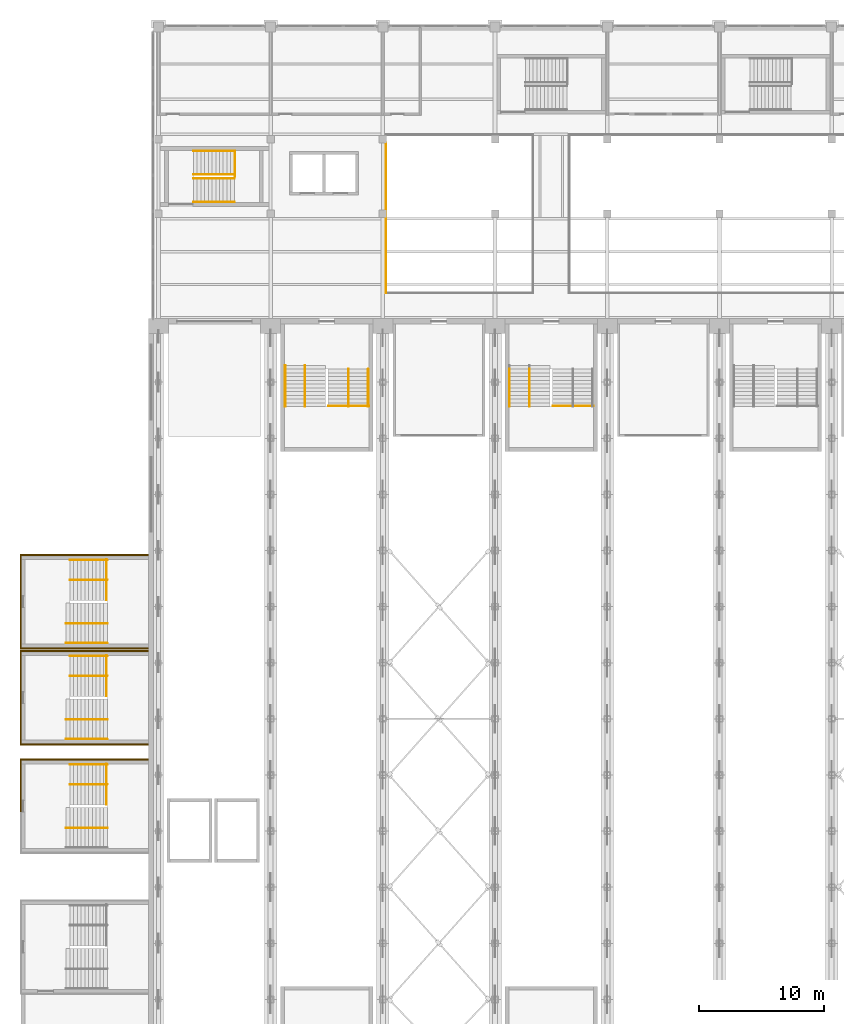
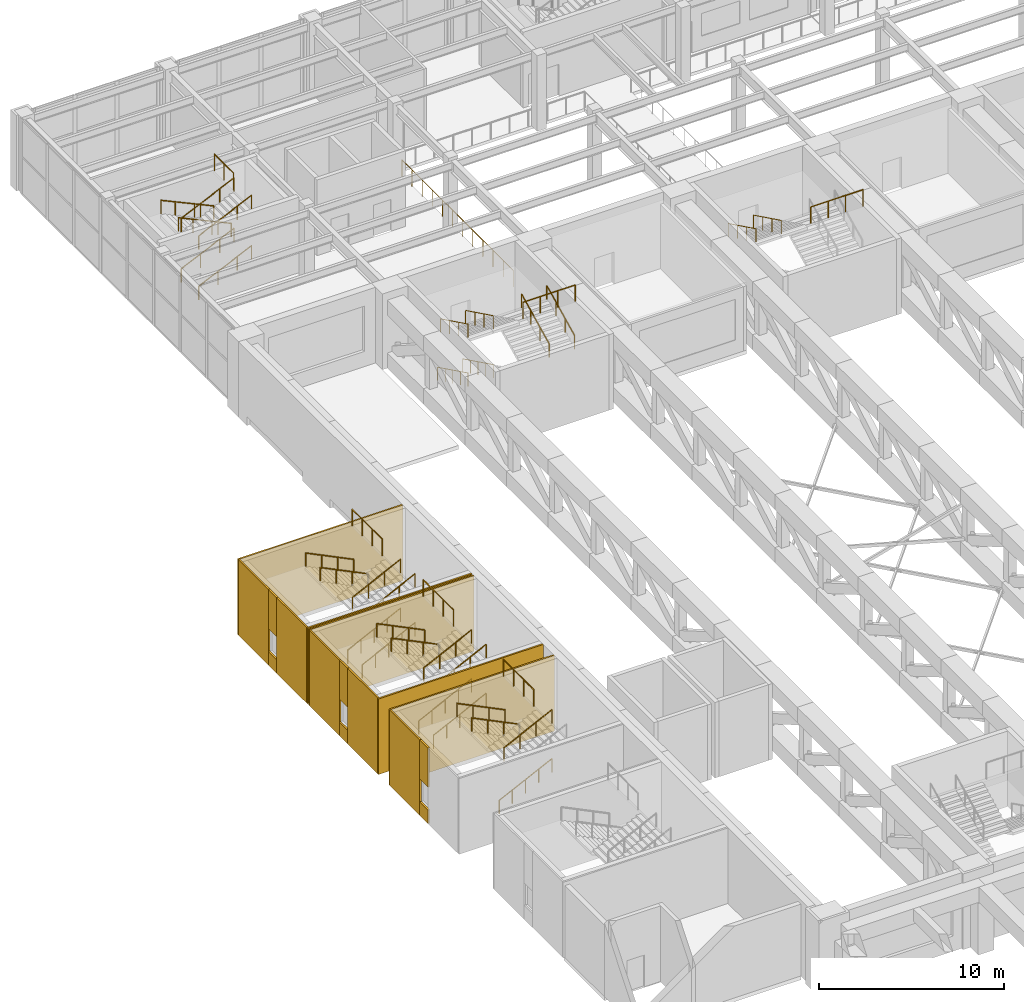
# One storey, part 68 of 76: 37 railings, 16 coverings.
"""IFC4 building model written with IfcOpenShell, lengths in metres."""

from ifc_helpers import new_model, si_unit, direction, frame, origin, origin_2d, place, context, subcontext, project, spatial, polyline, circle, outline, extrude, material, layer, layer_set, type_object, element, save


model = new_model("IFC4")

# Units and contexts
model_context = context("Model", 3, precision=1e-05, world=origin(), true_north=direction((0.0, 1.0)))
body_context = subcontext(model_context, "Body", "Model", "MODEL_VIEW")
ifc_project = project(units=[si_unit("LENGTHUNIT", "METRE"), si_unit("AREAUNIT", "SQUARE_METRE"), si_unit("VOLUMEUNIT", "CUBIC_METRE"), si_unit("PLANEANGLEUNIT", "RADIAN"), si_unit("MASSUNIT", "GRAM", prefix="KILO")], contexts=[model_context])

# Site, building, storey
site_placement = place(None, origin())
site = spatial("IfcSite", under=ifc_project, at=site_placement, CompositionType="ELEMENT")
building_placement = place(site_placement, origin())
building = spatial("IfcBuilding", under=site, at=building_placement, Name="Aravalli Gate Trade Fair Centre", CompositionType="ELEMENT")
storey_placement = place(building_placement, frame((0.0, 0.0, 10.0)))
storey = spatial("IfcBuildingStorey", under=building, at=storey_placement, Name="L02", CompositionType="ELEMENT", Elevation=10.0)

# Railings
ifc_material_1 = material(Name="Steel E350", Category="steel")
railing_type_1 = type_object("IfcRailingType", Name="Concourse guard 1100", PredefinedType="GUARDRAIL", material=ifc_material_1)
railing_1_placement = place(storey_placement, frame((12.14990234375, 121.0, 5.0)))
element("IfcRailing", 1, at=railing_1_placement, inside=storey, type_object=railing_type_1, Name="Guard WS L02 landing edge", PredefinedType="GUARDRAIL", context=body_context, shape_type="SweptSolid", body=[
    extrude(circle(Radius=0.02392578125, at=origin_2d()), frame((0.0, 0.0, 1.076171875), z_axis=(0.0, 1.0, 0.0), x_axis=(-1.0, 0.0, 0.0)), (0.0, 0.0, 1.0), 2.050048828125),
    extrude(circle(Radius=0.02099609375, at=origin_2d()), origin(), (0.0, 0.0, 1.0), 1.052001953125),
    extrude(circle(Radius=0.02099609375, at=origin_2d()), frame((0.0, 1.02490234375, 0.0)), (0.0, 0.0, 1.0), 1.052001953125),
    extrude(circle(Radius=0.02099609375, at=origin_2d()), frame((0.0, 2.050048828125, 0.0)), (0.0, 0.0, 1.0), 1.052001953125),
])
railing_2_placement = place(storey_placement, frame((24.25, 111.64990234375, 0.0)))
element("IfcRailing", 2, at=railing_2_placement, inside=storey, type_object=railing_type_1, Name="Atrium guard W L02", PredefinedType="GUARDRAIL", context=body_context, shape_type="SweptSolid", body=[
    extrude(circle(Radius=0.02392578125, at=origin_2d()), frame((0.0, 0.0, 1.076171875), z_axis=(0.0, 1.0, 0.0), x_axis=(-1.0, 0.0, 0.0)), (0.0, 0.0, 1.0), 12.050048828125),
    extrude(circle(Radius=0.02099609375, at=origin_2d()), origin(), (0.0, 0.0, 1.0), 1.052001953125),
    extrude(circle(Radius=0.02099609375, at=origin_2d()), frame((0.0, 1.095458984375, 0.0)), (0.0, 0.0, 1.0), 1.052001953125),
    extrude(circle(Radius=0.02099609375, at=origin_2d()), frame((0.0, 2.19091796875, 0.0)), (0.0, 0.0, 1.0), 1.052001953125),
    extrude(circle(Radius=0.02099609375, at=origin_2d()), frame((0.0, 3.286376953125, 0.0)), (0.0, 0.0, 1.0), 1.052001953125),
    extrude(circle(Radius=0.02099609375, at=origin_2d()), frame((0.0, 4.3818359375, 0.0)), (0.0, 0.0, 1.0), 1.052001953125),
    extrude(circle(Radius=0.02099609375, at=origin_2d()), frame((0.0, 5.477294921875, 0.0)), (0.0, 0.0, 1.0), 1.052001953125),
    extrude(circle(Radius=0.02099609375, at=origin_2d()), frame((0.0, 6.57275390625, 0.0)), (0.0, 0.0, 1.0), 1.052001953125),
    extrude(circle(Radius=0.02099609375, at=origin_2d()), frame((0.0, 7.668212890625, 0.0)), (0.0, 0.0, 1.0), 1.052001953125),
    extrude(circle(Radius=0.02099609375, at=origin_2d()), frame((0.0, 8.763671875, 0.0)), (0.0, 0.0, 1.0), 1.052001953125),
    extrude(circle(Radius=0.02099609375, at=origin_2d()), frame((0.0, 9.859130859375, 0.0)), (0.0, 0.0, 1.0), 1.052001953125),
    extrude(circle(Radius=0.02099609375, at=origin_2d()), frame((0.0, 10.95458984375, 0.0)), (0.0, 0.0, 1.0), 1.052001953125),
    extrude(circle(Radius=0.02099609375, at=origin_2d()), frame((0.0, 12.050048828125, 0.0)), (0.0, 0.0, 1.0), 1.052001953125),
])
railing_type_2 = type_object("IfcRailingType", Name="Concourse stair handrail 900", PredefinedType="HANDRAIL", material=ifc_material_1)
for number, where, name in (
    (3, (8.800048828125, 118.949951171875, 0.138916015625), "Handrail WS L02 flight 1o"),
    (4, (8.800048828125, 120.85009765625, 0.138916015625), "Handrail WS L02 flight 1i"),
):
    element("IfcRailing", number, at=place(storey_placement, frame(where)), inside=storey, type_object=railing_type_2, Name=name, PredefinedType="HANDRAIL", context=body_context, shape_type="SweptSolid", body=[
        extrude(circle(Radius=0.02392578125, at=origin_2d()), frame((0.0, 0.0, 0.8759765625), z_axis=(0.907499493834, 0.0, 0.420053173647), x_axis=(0.0, 1.0, 0.0)), (0.0, 0.0, 1.0), 1.322265625),
        extrude(circle(Radius=0.02392578125, at=origin_2d()), frame((1.199951171875, 0.0, 1.43115234375), z_axis=(0.907429102623, 0.0, 0.420205216189), x_axis=(0.0, 1.0, 0.0)), (0.0, 0.0, 1.0), 1.322265625),
        extrude(circle(Radius=0.02392578125, at=origin_2d()), frame((2.39990234375, 0.0, 1.98681640625), z_axis=(0.907461694017, 0.0, 0.420134828231), x_axis=(0.0, 1.0, 0.0)), (0.0, 0.0, 1.0), 0.991943359375),
        extrude(circle(Radius=0.02099609375, at=origin_2d()), origin(), (0.0, 0.0, 1.0), 0.851806640625),
        extrude(circle(Radius=0.02099609375, at=origin_2d()), frame((1.199951171875, 0.0, 0.555419921875)), (0.0, 0.0, 1.0), 0.851806640625),
        extrude(circle(Radius=0.02099609375, at=origin_2d()), frame((2.39990234375, 0.0, 1.111083984375)), (0.0, 0.0, 1.0), 0.851806640625),
        extrude(circle(Radius=0.02099609375, at=origin_2d()), frame((3.300048828125, 0.0, 1.52783203125)), (0.0, 0.0, 1.0), 0.851806640625),
    ])
for number, where, name in (
    (5, (12.10009765625, 123.050048828125, 1.8056640625), "Handrail WS L02 flight 2o"),
    (6, (12.10009765625, 121.14990234375, 1.8056640625), "Handrail WS L02 flight 2i"),
):
    element("IfcRailing", number, at=place(storey_placement, frame(where)), inside=storey, type_object=railing_type_2, Name=name, PredefinedType="HANDRAIL", context=body_context, shape_type="SweptSolid", body=[
        extrude(circle(Radius=0.02392578125, at=origin_2d()), frame((0.0, 0.0, 0.8759765625), z_axis=(-0.907532064172, 0.0, 0.419982800242), x_axis=(0.0, -1.0, 0.0)), (0.0, 0.0, 1.0), 1.322509765625),
        extrude(circle(Radius=0.02392578125, at=origin_2d()), frame((-1.2001953125, 0.0, 1.43115234375), z_axis=(-0.907429102623, 0.0, 0.420205216189), x_axis=(0.0, -1.0, 0.0)), (0.0, 0.0, 1.0), 1.322265625),
        extrude(circle(Radius=0.02392578125, at=origin_2d()), frame((-2.400146484375, 0.0, 1.98681640625), z_axis=(-0.907512096258, 0.0, 0.420025945799), x_axis=(0.0, -1.0, 0.0)), (0.0, 0.0, 1.0), 0.99169921875),
        extrude(circle(Radius=0.02099609375, at=origin_2d()), origin(), (0.0, 0.0, 1.0), 0.851806640625),
        extrude(circle(Radius=0.02099609375, at=origin_2d()), frame((-1.2001953125, 0.0, 0.555419921875)), (0.0, 0.0, 1.0), 0.851806640625),
        extrude(circle(Radius=0.02099609375, at=origin_2d()), frame((-2.400146484375, 0.0, 1.111083984375)), (0.0, 0.0, 1.0), 0.851806640625),
        extrude(circle(Radius=0.02099609375, at=origin_2d()), frame((-3.300048828125, 0.0, 1.527587890625)), (0.0, 0.0, 1.0), 0.851806640625),
    ])
for number, where, name in (
    (7, (8.800048828125, 118.949951171875, 3.47216796875), "Handrail WS L02 flight 3o"),
    (8, (8.800048828125, 120.85009765625, 3.47216796875), "Handrail WS L02 flight 3i"),
):
    element("IfcRailing", number, at=place(storey_placement, frame(where)), inside=storey, type_object=railing_type_2, Name=name, PredefinedType="HANDRAIL", context=body_context, shape_type="SweptSolid", body=[
        extrude(circle(Radius=0.02392578125, at=origin_2d()), frame((0.0, 0.0, 0.8759765625), z_axis=(0.907429102623, 0.0, 0.420205216189), x_axis=(0.0, 1.0, 0.0)), (0.0, 0.0, 1.0), 1.322265625),
        extrude(circle(Radius=0.02392578125, at=origin_2d()), frame((1.199951171875, 0.0, 1.431640625), z_axis=(0.907499493834, 0.0, 0.420053173647), x_axis=(0.0, 1.0, 0.0)), (0.0, 0.0, 1.0), 1.322265625),
        extrude(circle(Radius=0.02392578125, at=origin_2d()), frame((2.39990234375, 0.0, 1.98681640625), z_axis=(0.907461694017, 0.0, 0.420134828231), x_axis=(0.0, 1.0, 0.0)), (0.0, 0.0, 1.0), 0.991943359375),
        extrude(circle(Radius=0.02099609375, at=origin_2d()), origin(), (0.0, 0.0, 1.0), 0.851806640625),
        extrude(circle(Radius=0.02099609375, at=origin_2d()), frame((1.199951171875, 0.0, 0.5556640625)), (0.0, 0.0, 1.0), 0.851806640625),
        extrude(circle(Radius=0.02099609375, at=origin_2d()), frame((2.39990234375, 0.0, 1.111083984375)), (0.0, 0.0, 1.0), 0.851806640625),
        extrude(circle(Radius=0.02099609375, at=origin_2d()), frame((3.300048828125, 0.0, 1.52783203125)), (0.0, 0.0, 1.0), 0.851806640625),
    ])

# Coverings
ifc_material_2 = material(Name="Terracotta", Category="masonry")
ifc_layer = layer(ifc_material_2, 0.10009765625)
ifc_layer_set = layer_set([ifc_layer], Name="Terracotta")
covering_type = type_object("IfcCoveringType", Name="End tower cladding 100", PredefinedType="CLADDING", material=ifc_layer_set)
covering_1_placement = place(storey_placement, origin())
element("IfcCovering", 9, at=covering_1_placement, inside=storey, type_object=covering_type, Name="End tower W2 cladding L02 side A", PredefinedType="CLADDING", context=body_context, shape_type="SweptSolid", body=[
    extrude(outline(polyline([(5.199951171875, 75.39990234375), (-5.10009765625, 75.39990234375), (-5.10009765625, 75.5), (5.199951171875, 75.5), (5.199951171875, 75.39990234375)])), origin(), (0.0, 0.0, 1.0), 5.0),
])
covering_2_placement = place(storey_placement, origin())
element("IfcCovering", 10, at=covering_2_placement, inside=storey, type_object=covering_type, Name="End tower W2 cladding L02 side B", PredefinedType="CLADDING", context=body_context, shape_type="SweptSolid", body=[
    extrude(outline(polyline([(5.199951171875, 82.89990234375), (-5.10009765625, 82.89990234375), (-5.10009765625, 83.0), (5.199951171875, 83.0), (5.199951171875, 82.89990234375)])), origin(), (0.0, 0.0, 1.0), 5.0),
])
covering_3_placement = place(storey_placement, origin())
element("IfcCovering", 11, at=covering_3_placement, inside=storey, type_object=covering_type, Name="End tower W2 cladding L02 far left", PredefinedType="CLADDING", context=body_context, shape_type="SweptSolid", body=[
    extrude(outline(polyline([(-5.0, 75.5), (-5.10009765625, 75.5), (-5.10009765625, 78.75), (-5.0, 78.75), (-5.0, 75.5)])), origin(), (0.0, 0.0, 1.0), 5.0),
])
covering_4_placement = place(storey_placement, origin())
element("IfcCovering", 12, at=covering_4_placement, inside=storey, type_object=covering_type, Name="End tower W2 cladding L02 far right", PredefinedType="CLADDING", context=body_context, shape_type="SweptSolid", body=[
    extrude(outline(polyline([(-5.0, 79.64990234375), (-5.10009765625, 79.64990234375), (-5.10009765625, 82.89990234375), (-5.0, 82.89990234375), (-5.0, 79.64990234375)])), origin(), (0.0, 0.0, 1.0), 5.0),
])
covering_5_placement = place(storey_placement, origin())
element("IfcCovering", 13, at=covering_5_placement, inside=storey, type_object=covering_type, Name="End tower W2 cladding L02 below the window", PredefinedType="CLADDING", context=body_context, shape_type="SweptSolid", body=[
    extrude(outline(polyline([(-5.0, 78.75), (-5.10009765625, 78.75), (-5.10009765625, 79.64990234375), (-5.0, 79.64990234375), (-5.0, 78.75)])), origin(), (0.0, 0.0, 1.0), 0.89990234375),
])
covering_6_placement = place(storey_placement, frame((0.0, 0.0, 2.39990234375)))
element("IfcCovering", 14, at=covering_6_placement, inside=storey, type_object=covering_type, Name="End tower W2 cladding L02 above the window", PredefinedType="CLADDING", context=body_context, shape_type="SweptSolid", body=[
    extrude(outline(polyline([(-5.0, 78.75), (-5.10009765625, 78.75), (-5.10009765625, 79.64990234375), (-5.0, 79.64990234375), (-5.0, 78.75)])), origin(), (0.0, 0.0, 1.0), 2.60009765625),
])
covering_7_placement = place(storey_placement, origin())
element("IfcCovering", 15, at=covering_7_placement, inside=storey, type_object=covering_type, Name="End tower W4 cladding L02 side B", PredefinedType="CLADDING", context=body_context, shape_type="SweptSolid", body=[
    extrude(outline(polyline([(5.199951171875, 74.199951171875), (-5.10009765625, 74.199951171875), (-5.10009765625, 74.300048828125), (5.199951171875, 74.300048828125), (5.199951171875, 74.199951171875)])), origin(), (0.0, 0.0, 1.0), 5.0),
])
covering_8_placement = place(storey_placement, origin())
element("IfcCovering", 16, at=covering_8_placement, inside=storey, type_object=covering_type, Name="End tower W4 cladding L02 far right", PredefinedType="CLADDING", context=body_context, shape_type="SweptSolid", body=[
    extrude(outline(polyline([(-5.0, 70.949951171875), (-5.10009765625, 70.949951171875), (-5.10009765625, 74.199951171875), (-5.0, 74.199951171875), (-5.0, 70.949951171875)])), origin(), (0.0, 0.0, 1.0), 5.0),
])
covering_9_placement = place(storey_placement, origin())
element("IfcCovering", 17, at=covering_9_placement, inside=storey, type_object=covering_type, Name="End tower W4 cladding L02 below the window", PredefinedType="CLADDING", context=body_context, shape_type="SweptSolid", body=[
    extrude(outline(polyline([(-5.0, 70.050048828125), (-5.10009765625, 70.050048828125), (-5.10009765625, 70.949951171875), (-5.0, 70.949951171875), (-5.0, 70.050048828125)])), origin(), (0.0, 0.0, 1.0), 0.89990234375),
])
covering_10_placement = place(storey_placement, frame((0.0, 0.0, 2.39990234375)))
element("IfcCovering", 18, at=covering_10_placement, inside=storey, type_object=covering_type, Name="End tower W4 cladding L02 above the window", PredefinedType="CLADDING", context=body_context, shape_type="SweptSolid", body=[
    extrude(outline(polyline([(-5.0, 70.050048828125), (-5.10009765625, 70.050048828125), (-5.10009765625, 70.949951171875), (-5.0, 70.949951171875), (-5.0, 70.050048828125)])), origin(), (0.0, 0.0, 1.0), 2.60009765625),
])
covering_11_placement = place(storey_placement, origin())
element("IfcCovering", 19, at=covering_11_placement, inside=storey, type_object=covering_type, Name="End tower W5 cladding L02 side A", PredefinedType="CLADDING", context=body_context, shape_type="SweptSolid", body=[
    extrude(outline(polyline([(5.199951171875, 83.10009765625), (-5.10009765625, 83.10009765625), (-5.10009765625, 83.199951171875), (5.199951171875, 83.199951171875), (5.199951171875, 83.10009765625)])), origin(), (0.0, 0.0, 1.0), 5.0),
])
covering_12_placement = place(storey_placement, origin())
element("IfcCovering", 20, at=covering_12_placement, inside=storey, type_object=covering_type, Name="End tower W5 cladding L02 side B", PredefinedType="CLADDING", context=body_context, shape_type="SweptSolid", body=[
    extrude(outline(polyline([(5.199951171875, 90.60009765625), (-5.10009765625, 90.60009765625), (-5.10009765625, 90.699951171875), (5.199951171875, 90.699951171875), (5.199951171875, 90.60009765625)])), origin(), (0.0, 0.0, 1.0), 5.0),
])
covering_13_placement = place(storey_placement, origin())
element("IfcCovering", 21, at=covering_13_placement, inside=storey, type_object=covering_type, Name="End tower W5 cladding L02 far left", PredefinedType="CLADDING", context=body_context, shape_type="SweptSolid", body=[
    extrude(outline(polyline([(-5.0, 83.199951171875), (-5.10009765625, 83.199951171875), (-5.10009765625, 86.449951171875), (-5.0, 86.449951171875), (-5.0, 83.199951171875)])), origin(), (0.0, 0.0, 1.0), 5.0),
])
covering_14_placement = place(storey_placement, origin())
element("IfcCovering", 22, at=covering_14_placement, inside=storey, type_object=covering_type, Name="End tower W5 cladding L02 far right", PredefinedType="CLADDING", context=body_context, shape_type="SweptSolid", body=[
    extrude(outline(polyline([(-5.0, 87.35009765625), (-5.10009765625, 87.35009765625), (-5.10009765625, 90.60009765625), (-5.0, 90.60009765625), (-5.0, 87.35009765625)])), origin(), (0.0, 0.0, 1.0), 5.0),
])
covering_15_placement = place(storey_placement, origin())
element("IfcCovering", 23, at=covering_15_placement, inside=storey, type_object=covering_type, Name="End tower W5 cladding L02 below the window", PredefinedType="CLADDING", context=body_context, shape_type="SweptSolid", body=[
    extrude(outline(polyline([(-5.0, 86.449951171875), (-5.10009765625, 86.449951171875), (-5.10009765625, 87.35009765625), (-5.0, 87.35009765625), (-5.0, 86.449951171875)])), origin(), (0.0, 0.0, 1.0), 0.89990234375),
])
covering_16_placement = place(storey_placement, frame((0.0, 0.0, 2.39990234375)))
element("IfcCovering", 24, at=covering_16_placement, inside=storey, type_object=covering_type, Name="End tower W5 cladding L02 above the window", PredefinedType="CLADDING", context=body_context, shape_type="SweptSolid", body=[
    extrude(outline(polyline([(-5.0, 86.449951171875), (-5.10009765625, 86.449951171875), (-5.10009765625, 87.35009765625), (-5.0, 87.35009765625), (-5.0, 86.449951171875)])), origin(), (0.0, 0.0, 1.0), 2.60009765625),
])

# Railings
railing_type_3 = type_object("IfcRailingType", Name="Stair guard 1100", PredefinedType="GUARDRAIL", material=ifc_material_1)
for number, where, name in (
    (25, (19.6298828125, 102.60009765625, 5.0), "Guard N02 L02 head"),
    (26, (37.6298828125, 102.60009765625, 5.0), "Guard N04 L02 head"),
):
    element("IfcRailing", number, at=place(storey_placement, frame(where)), inside=storey, type_object=railing_type_3, Name=name, PredefinedType="GUARDRAIL", context=body_context, shape_type="SweptSolid", body=[
        extrude(circle(Radius=0.02392578125, at=origin_2d()), frame((0.0, 0.0, 1.076171875), z_axis=(1.0, 0.0, 0.0), x_axis=(0.0, 1.0, 0.0)), (0.0, 0.0, 1.0), 3.27001953125),
        extrude(circle(Radius=0.02099609375, at=origin_2d()), origin(), (0.0, 0.0, 1.0), 1.052001953125),
        extrude(circle(Radius=0.02099609375, at=origin_2d()), frame((1.090087890625, 0.0, 0.0)), (0.0, 0.0, 1.0), 1.052001953125),
        extrude(circle(Radius=0.02099609375, at=origin_2d()), frame((2.179931640625, 0.0, 0.0)), (0.0, 0.0, 1.0), 1.052001953125),
        extrude(circle(Radius=0.02099609375, at=origin_2d()), frame((3.27001953125, 0.0, 0.0)), (0.0, 0.0, 1.0), 1.052001953125),
    ])
for number, where, name in (
    (27, (1.85009765625, 79.330078125, 5.0), "Guard W2 L02 head"),
    (28, (1.85009765625, 70.6298828125, 5.0), "Guard W4 L02 head"),
    (29, (1.85009765625, 87.030029296875, 5.0), "Guard W5 L02 head"),
):
    element("IfcRailing", number, at=place(storey_placement, frame(where)), inside=storey, type_object=railing_type_3, Name=name, PredefinedType="GUARDRAIL", context=body_context, shape_type="SweptSolid", body=[
        extrude(circle(Radius=0.02392578125, at=origin_2d()), frame((0.0, 0.0, 1.076171875), z_axis=(0.0, 1.0, 0.0), x_axis=(-1.0, 0.0, 0.0)), (0.0, 0.0, 1.0), 3.27001953125),
        extrude(circle(Radius=0.02099609375, at=origin_2d()), origin(), (0.0, 0.0, 1.0), 1.052001953125),
        extrude(circle(Radius=0.02099609375, at=origin_2d()), frame((0.0, 1.090087890625, 0.0)), (0.0, 0.0, 1.0), 1.052001953125),
        extrude(circle(Radius=0.02099609375, at=origin_2d()), frame((0.0, 2.179931640625, 0.0)), (0.0, 0.0, 1.0), 1.052001953125),
        extrude(circle(Radius=0.02099609375, at=origin_2d()), frame((0.0, 3.27001953125, 0.0)), (0.0, 0.0, 1.0), 1.052001953125),
    ])
railing_type_4 = type_object("IfcRailingType", Name="Stair handrail 900", PredefinedType="HANDRAIL", material=ifc_material_1)
for number, where, name in (
    (30, (16.169921875, 105.85009765625, 0.147216796875), "Handrail N02 L02 1"),
    (31, (17.75, 105.85009765625, 0.147216796875), "Handrail centre N02 L02 2"),
):
    element("IfcRailing", number, at=place(storey_placement, frame(where)), inside=storey, type_object=railing_type_4, Name=name, PredefinedType="HANDRAIL", context=body_context, shape_type="SweptSolid", body=[
        extrude(circle(Radius=0.02392578125, at=origin_2d()), frame((0.0, 0.0, 0.8759765625), z_axis=(0.0, -0.897946461621, 0.440104705795), x_axis=(1.0, 0.0, 0.0)), (0.0, 0.0, 1.0), 3.675048828125),
        extrude(circle(Radius=0.02099609375, at=origin_2d()), origin(), (0.0, 0.0, 1.0), 0.851806640625),
        extrude(circle(Radius=0.02099609375, at=origin_2d()), frame((0.0, -0.824951171875, 0.404296875)), (0.0, 0.0, 1.0), 0.851806640625),
        extrude(circle(Radius=0.02099609375, at=origin_2d()), frame((0.0, -1.64990234375, 0.80859375)), (0.0, 0.0, 1.0), 0.851806640625),
        extrude(circle(Radius=0.02099609375, at=origin_2d()), frame((0.0, -2.47509765625, 1.213134765625)), (0.0, 0.0, 1.0), 0.851806640625),
        extrude(circle(Radius=0.02099609375, at=origin_2d()), frame((0.0, -3.300048828125, 1.617431640625)), (0.0, 0.0, 1.0), 0.851806640625),
    ])
for number, where, name in (
    (32, (22.830078125, 102.550048828125, 1.911865234375), "Handrail N02 L02 3"),
    (33, (21.25, 102.550048828125, 1.911865234375), "Handrail centre N02 L02 4"),
):
    element("IfcRailing", number, at=place(storey_placement, frame(where)), inside=storey, type_object=railing_type_4, Name=name, PredefinedType="HANDRAIL", context=body_context, shape_type="SweptSolid", body=[
        extrude(circle(Radius=0.02392578125, at=origin_2d()), frame((0.0, 0.0, 0.8759765625), z_axis=(0.0, 0.897936012048, 0.440126025437), x_axis=(-1.0, 0.0, 0.0)), (0.0, 0.0, 1.0), 3.341064453125),
        extrude(circle(Radius=0.02099609375, at=origin_2d()), origin(), (0.0, 0.0, 1.0), 0.851806640625),
        extrude(circle(Radius=0.02099609375, at=origin_2d()), frame((0.0, 1.0, 0.490234375)), (0.0, 0.0, 1.0), 0.851806640625),
        extrude(circle(Radius=0.02099609375, at=origin_2d()), frame((0.0, 2.0, 0.980224609375)), (0.0, 0.0, 1.0), 0.851806640625),
        extrude(circle(Radius=0.02099609375, at=origin_2d()), frame((0.0, 3.0, 1.470458984375)), (0.0, 0.0, 1.0), 0.851806640625),
    ])
for number, where, name in (
    (34, (16.169921875, 105.550048828125, 3.529296875), "Handrail N02 L02 5"),
    (35, (17.75, 105.550048828125, 3.529296875), "Handrail centre N02 L02 6"),
    (36, (34.169921875, 105.550048828125, 3.529296875), "Handrail N04 L02 5"),
    (37, (35.75, 105.550048828125, 3.529296875), "Handrail centre N04 L02 6"),
):
    element("IfcRailing", number, at=place(storey_placement, frame(where)), inside=storey, type_object=railing_type_4, Name=name, PredefinedType="HANDRAIL", context=body_context, shape_type="SweptSolid", body=[
        extrude(circle(Radius=0.02392578125, at=origin_2d()), frame((0.0, 0.0, 0.8759765625), z_axis=(0.0, -0.897907131747, 0.44018494154), x_axis=(1.0, 0.0, 0.0)), (0.0, 0.0, 1.0), 3.341064453125),
        extrude(circle(Radius=0.02099609375, at=origin_2d()), origin(), (0.0, 0.0, 1.0), 0.851806640625),
        extrude(circle(Radius=0.02099609375, at=origin_2d()), frame((0.0, -1.0, 0.490234375)), (0.0, 0.0, 1.0), 0.851806640625),
        extrude(circle(Radius=0.02099609375, at=origin_2d()), frame((0.0, -2.0, 0.98046875)), (0.0, 0.0, 1.0), 0.851806640625),
        extrude(circle(Radius=0.02099609375, at=origin_2d()), frame((0.0, -3.0, 1.470703125)), (0.0, 0.0, 1.0), 0.851806640625),
    ])
for number, where, name in (
    (38, (-1.39990234375, 75.8701171875, 0.147216796875), "Handrail W2 L02 1"),
    (39, (-1.39990234375, 77.449951171875, 0.147216796875), "Handrail centre W2 L02 2"),
):
    element("IfcRailing", number, at=place(storey_placement, frame(where)), inside=storey, type_object=railing_type_4, Name=name, PredefinedType="HANDRAIL", context=body_context, shape_type="SweptSolid", body=[
        extrude(circle(Radius=0.02392578125, at=origin_2d()), frame((0.0, 0.0, 0.8759765625), z_axis=(0.897933593325, 0.0, 0.440130960031), x_axis=(0.0, 1.0, 0.0)), (0.0, 0.0, 1.0), 3.6748046875),
        extrude(circle(Radius=0.02099609375, at=origin_2d()), origin(), (0.0, 0.0, 1.0), 0.851806640625),
        extrude(circle(Radius=0.02099609375, at=origin_2d()), frame((0.824951171875, 0.0, 0.404296875)), (0.0, 0.0, 1.0), 0.851806640625),
        extrude(circle(Radius=0.02099609375, at=origin_2d()), frame((1.64990234375, 0.0, 0.80859375)), (0.0, 0.0, 1.0), 0.851806640625),
        extrude(circle(Radius=0.02099609375, at=origin_2d()), frame((2.474853515625, 0.0, 1.213134765625)), (0.0, 0.0, 1.0), 0.851806640625),
        extrude(circle(Radius=0.02099609375, at=origin_2d()), frame((3.2998046875, 0.0, 1.617431640625)), (0.0, 0.0, 1.0), 0.851806640625),
    ])
for number, where, name in (
    (40, (1.89990234375, 82.530029296875, 1.911865234375), "Handrail W2 L02 3"),
    (41, (1.89990234375, 80.949951171875, 1.911865234375), "Handrail centre W2 L02 4"),
):
    element("IfcRailing", number, at=place(storey_placement, frame(where)), inside=storey, type_object=railing_type_4, Name=name, PredefinedType="HANDRAIL", context=body_context, shape_type="SweptSolid", body=[
        extrude(circle(Radius=0.02392578125, at=origin_2d()), frame((0.0, 0.0, 0.8759765625), z_axis=(-0.897936012048, 0.0, 0.440126025437), x_axis=(0.0, -1.0, 0.0)), (0.0, 0.0, 1.0), 3.341064453125),
        extrude(circle(Radius=0.02099609375, at=origin_2d()), origin(), (0.0, 0.0, 1.0), 0.851806640625),
        extrude(circle(Radius=0.02099609375, at=origin_2d()), frame((-1.0, 0.0, 0.490234375)), (0.0, 0.0, 1.0), 0.851806640625),
        extrude(circle(Radius=0.02099609375, at=origin_2d()), frame((-2.0, 0.0, 0.980224609375)), (0.0, 0.0, 1.0), 0.851806640625),
        extrude(circle(Radius=0.02099609375, at=origin_2d()), frame((-3.0, 0.0, 1.470458984375)), (0.0, 0.0, 1.0), 0.851806640625),
    ])
for number, where, name in (
    (42, (-1.10009765625, 75.8701171875, 3.529296875), "Handrail W2 L02 5"),
    (43, (-1.10009765625, 77.449951171875, 3.529296875), "Handrail centre W2 L02 6"),
):
    element("IfcRailing", number, at=place(storey_placement, frame(where)), inside=storey, type_object=railing_type_4, Name=name, PredefinedType="HANDRAIL", context=body_context, shape_type="SweptSolid", body=[
        extrude(circle(Radius=0.02392578125, at=origin_2d()), frame((0.0, 0.0, 0.8759765625), z_axis=(0.897907131747, 0.0, 0.44018494154), x_axis=(0.0, 1.0, 0.0)), (0.0, 0.0, 1.0), 3.341064453125),
        extrude(circle(Radius=0.02099609375, at=origin_2d()), origin(), (0.0, 0.0, 1.0), 0.851806640625),
        extrude(circle(Radius=0.02099609375, at=origin_2d()), frame((1.0, 0.0, 0.490234375)), (0.0, 0.0, 1.0), 0.851806640625),
        extrude(circle(Radius=0.02099609375, at=origin_2d()), frame((2.0, 0.0, 0.98046875)), (0.0, 0.0, 1.0), 0.851806640625),
        extrude(circle(Radius=0.02099609375, at=origin_2d()), frame((3.0, 0.0, 1.470703125)), (0.0, 0.0, 1.0), 0.851806640625),
    ])
railing_3_placement = place(storey_placement, frame((-1.39990234375, 68.75, 0.147216796875)))
element("IfcRailing", 44, at=railing_3_placement, inside=storey, type_object=railing_type_4, Name="Handrail centre W4 L02 2", PredefinedType="HANDRAIL", context=body_context, shape_type="SweptSolid", body=[
    extrude(circle(Radius=0.02392578125, at=origin_2d()), frame((0.0, 0.0, 0.8759765625), z_axis=(0.897933593325, 0.0, 0.440130960031), x_axis=(0.0, 1.0, 0.0)), (0.0, 0.0, 1.0), 3.6748046875),
    extrude(circle(Radius=0.02099609375, at=origin_2d()), origin(), (0.0, 0.0, 1.0), 0.851806640625),
    extrude(circle(Radius=0.02099609375, at=origin_2d()), frame((0.824951171875, 0.0, 0.404296875)), (0.0, 0.0, 1.0), 0.851806640625),
    extrude(circle(Radius=0.02099609375, at=origin_2d()), frame((1.64990234375, 0.0, 0.80859375)), (0.0, 0.0, 1.0), 0.851806640625),
    extrude(circle(Radius=0.02099609375, at=origin_2d()), frame((2.474853515625, 0.0, 1.213134765625)), (0.0, 0.0, 1.0), 0.851806640625),
    extrude(circle(Radius=0.02099609375, at=origin_2d()), frame((3.2998046875, 0.0, 1.617431640625)), (0.0, 0.0, 1.0), 0.851806640625),
])
for number, where, name in (
    (45, (1.89990234375, 73.830078125, 1.911865234375), "Handrail W4 L02 3"),
    (46, (1.89990234375, 72.25, 1.911865234375), "Handrail centre W4 L02 4"),
):
    element("IfcRailing", number, at=place(storey_placement, frame(where)), inside=storey, type_object=railing_type_4, Name=name, PredefinedType="HANDRAIL", context=body_context, shape_type="SweptSolid", body=[
        extrude(circle(Radius=0.02392578125, at=origin_2d()), frame((0.0, 0.0, 0.8759765625), z_axis=(-0.897936012048, 0.0, 0.440126025437), x_axis=(0.0, -1.0, 0.0)), (0.0, 0.0, 1.0), 3.341064453125),
        extrude(circle(Radius=0.02099609375, at=origin_2d()), origin(), (0.0, 0.0, 1.0), 0.851806640625),
        extrude(circle(Radius=0.02099609375, at=origin_2d()), frame((-1.0, 0.0, 0.490234375)), (0.0, 0.0, 1.0), 0.851806640625),
        extrude(circle(Radius=0.02099609375, at=origin_2d()), frame((-2.0, 0.0, 0.980224609375)), (0.0, 0.0, 1.0), 0.851806640625),
        extrude(circle(Radius=0.02099609375, at=origin_2d()), frame((-3.0, 0.0, 1.470458984375)), (0.0, 0.0, 1.0), 0.851806640625),
    ])
railing_4_placement = place(storey_placement, frame((-1.10009765625, 68.75, 3.529296875)))
element("IfcRailing", 47, at=railing_4_placement, inside=storey, type_object=railing_type_4, Name="Handrail centre W4 L02 6", PredefinedType="HANDRAIL", context=body_context, shape_type="SweptSolid", body=[
    extrude(circle(Radius=0.02392578125, at=origin_2d()), frame((0.0, 0.0, 0.8759765625), z_axis=(0.897907131747, 0.0, 0.44018494154), x_axis=(0.0, 1.0, 0.0)), (0.0, 0.0, 1.0), 3.341064453125),
    extrude(circle(Radius=0.02099609375, at=origin_2d()), origin(), (0.0, 0.0, 1.0), 0.851806640625),
    extrude(circle(Radius=0.02099609375, at=origin_2d()), frame((1.0, 0.0, 0.490234375)), (0.0, 0.0, 1.0), 0.851806640625),
    extrude(circle(Radius=0.02099609375, at=origin_2d()), frame((2.0, 0.0, 0.98046875)), (0.0, 0.0, 1.0), 0.851806640625),
    extrude(circle(Radius=0.02099609375, at=origin_2d()), frame((3.0, 0.0, 1.470703125)), (0.0, 0.0, 1.0), 0.851806640625),
])
for number, where, name in (
    (48, (-1.39990234375, 83.570068359375, 0.147216796875), "Handrail W5 L02 1"),
    (49, (-1.39990234375, 85.14990234375, 0.147216796875), "Handrail centre W5 L02 2"),
):
    element("IfcRailing", number, at=place(storey_placement, frame(where)), inside=storey, type_object=railing_type_4, Name=name, PredefinedType="HANDRAIL", context=body_context, shape_type="SweptSolid", body=[
        extrude(circle(Radius=0.02392578125, at=origin_2d()), frame((0.0, 0.0, 0.8759765625), z_axis=(0.897933593325, 0.0, 0.440130960031), x_axis=(0.0, 1.0, 0.0)), (0.0, 0.0, 1.0), 3.6748046875),
        extrude(circle(Radius=0.02099609375, at=origin_2d()), origin(), (0.0, 0.0, 1.0), 0.851806640625),
        extrude(circle(Radius=0.02099609375, at=origin_2d()), frame((0.824951171875, 0.0, 0.404296875)), (0.0, 0.0, 1.0), 0.851806640625),
        extrude(circle(Radius=0.02099609375, at=origin_2d()), frame((1.64990234375, 0.0, 0.80859375)), (0.0, 0.0, 1.0), 0.851806640625),
        extrude(circle(Radius=0.02099609375, at=origin_2d()), frame((2.474853515625, 0.0, 1.213134765625)), (0.0, 0.0, 1.0), 0.851806640625),
        extrude(circle(Radius=0.02099609375, at=origin_2d()), frame((3.2998046875, 0.0, 1.617431640625)), (0.0, 0.0, 1.0), 0.851806640625),
    ])
for number, where, name in (
    (50, (1.89990234375, 90.22998046875, 1.911865234375), "Handrail W5 L02 3"),
    (51, (1.89990234375, 88.64990234375, 1.911865234375), "Handrail centre W5 L02 4"),
):
    element("IfcRailing", number, at=place(storey_placement, frame(where)), inside=storey, type_object=railing_type_4, Name=name, PredefinedType="HANDRAIL", context=body_context, shape_type="SweptSolid", body=[
        extrude(circle(Radius=0.02392578125, at=origin_2d()), frame((0.0, 0.0, 0.8759765625), z_axis=(-0.897936012048, 0.0, 0.440126025437), x_axis=(0.0, -1.0, 0.0)), (0.0, 0.0, 1.0), 3.341064453125),
        extrude(circle(Radius=0.02099609375, at=origin_2d()), origin(), (0.0, 0.0, 1.0), 0.851806640625),
        extrude(circle(Radius=0.02099609375, at=origin_2d()), frame((-1.0, 0.0, 0.490234375)), (0.0, 0.0, 1.0), 0.851806640625),
        extrude(circle(Radius=0.02099609375, at=origin_2d()), frame((-2.0, 0.0, 0.980224609375)), (0.0, 0.0, 1.0), 0.851806640625),
        extrude(circle(Radius=0.02099609375, at=origin_2d()), frame((-3.0, 0.0, 1.470458984375)), (0.0, 0.0, 1.0), 0.851806640625),
    ])
for number, where, name in (
    (52, (-1.10009765625, 83.570068359375, 3.529296875), "Handrail W5 L02 5"),
    (53, (-1.10009765625, 85.14990234375, 3.529296875), "Handrail centre W5 L02 6"),
):
    element("IfcRailing", number, at=place(storey_placement, frame(where)), inside=storey, type_object=railing_type_4, Name=name, PredefinedType="HANDRAIL", context=body_context, shape_type="SweptSolid", body=[
        extrude(circle(Radius=0.02392578125, at=origin_2d()), frame((0.0, 0.0, 0.8759765625), z_axis=(0.897907131747, 0.0, 0.44018494154), x_axis=(0.0, 1.0, 0.0)), (0.0, 0.0, 1.0), 3.341064453125),
        extrude(circle(Radius=0.02099609375, at=origin_2d()), origin(), (0.0, 0.0, 1.0), 0.851806640625),
        extrude(circle(Radius=0.02099609375, at=origin_2d()), frame((1.0, 0.0, 0.490234375)), (0.0, 0.0, 1.0), 0.851806640625),
        extrude(circle(Radius=0.02099609375, at=origin_2d()), frame((2.0, 0.0, 0.98046875)), (0.0, 0.0, 1.0), 0.851806640625),
        extrude(circle(Radius=0.02099609375, at=origin_2d()), frame((3.0, 0.0, 1.470703125)), (0.0, 0.0, 1.0), 0.851806640625),
    ])

save(model, "model.ifc")
